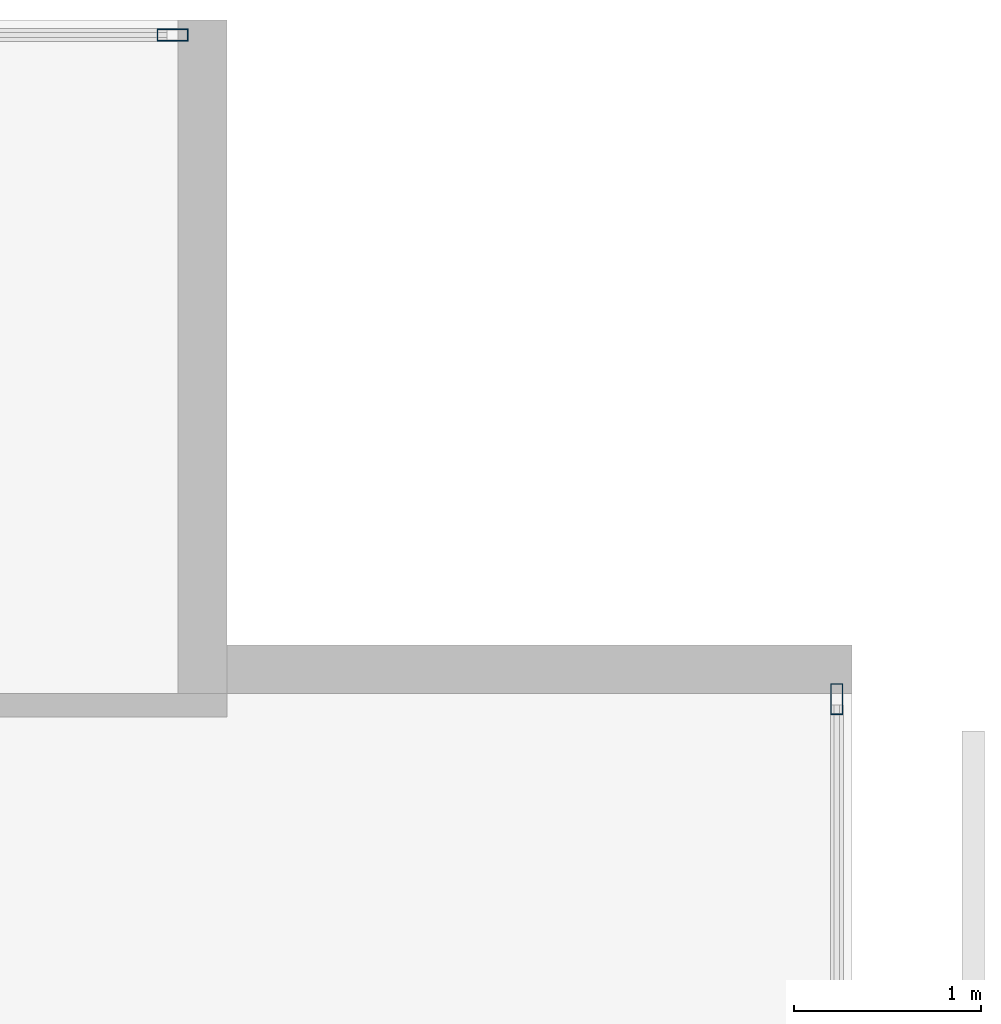
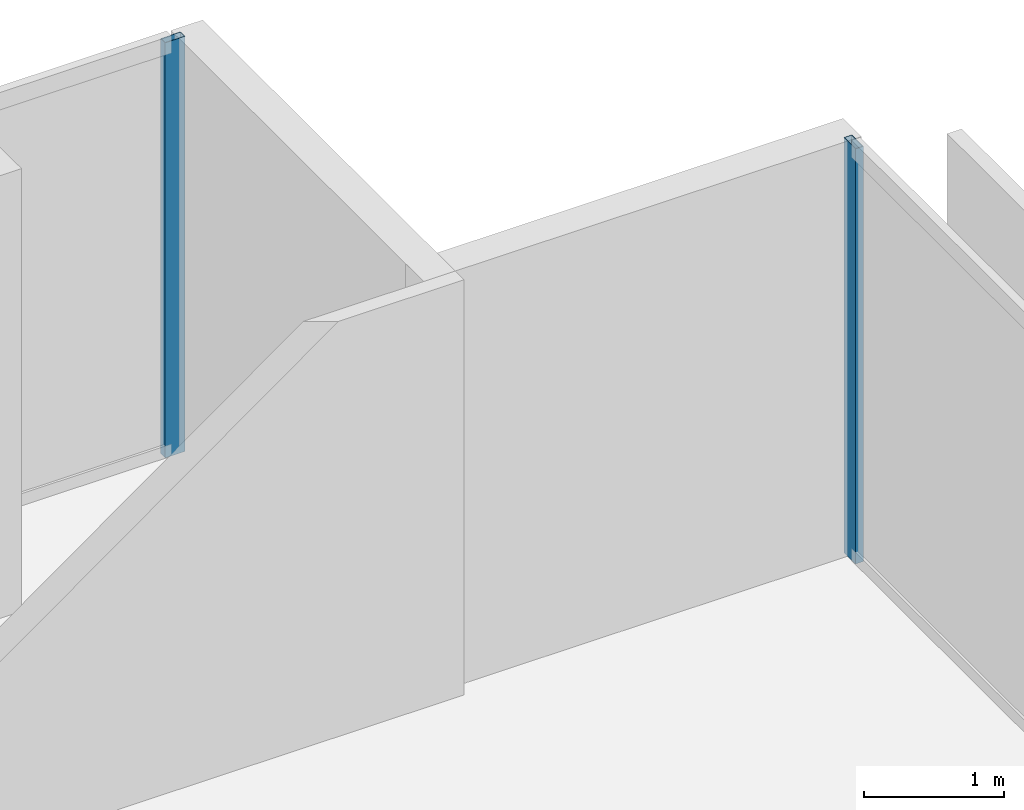
# One storey, part 31 of 41: 2 members, 2 elements without a shape of their own.
"""IFC4 building model written with IfcOpenShell, lengths in metres."""

from ifc_helpers import new_model, si_unit, direction, frame, origin, origin_2d, place, context, subcontext, project, spatial, hollow_rectangle, extrude, material, layer, layer_set, material_profile, profile_set, type_object, element, aggregate, save


model = new_model("IFC4")

# Units and contexts
model_context = context("Model", 3, precision=1e-05, world=origin(), true_north=direction((0.0, 1.0)))
body_context = subcontext(model_context, "Body", "Model", "MODEL_VIEW")
ifc_project = project(units=[si_unit("LENGTHUNIT", "METRE"), si_unit("AREAUNIT", "SQUARE_METRE"), si_unit("VOLUMEUNIT", "CUBIC_METRE"), si_unit("PLANEANGLEUNIT", "RADIAN"), si_unit("MASSUNIT", "GRAM", prefix="KILO")], contexts=[model_context])

# Site, building, storey
site_placement = place(None, origin())
site = spatial("IfcSite", under=ifc_project, at=site_placement, CompositionType="ELEMENT")
building_placement = place(site_placement, origin())
building = spatial("IfcBuilding", under=site, at=building_placement, Name="Maruvema Waterfront Hotel and Observation Tower", CompositionType="ELEMENT")
storey_placement = place(building_placement, frame((0.0, 0.0, 84.699951171875)))
storey = spatial("IfcBuildingStorey", under=building, at=storey_placement, Name="L20", CompositionType="ELEMENT", Elevation=84.699951171875)

# Curtain wall, member
ifc_material_1 = material(Name="Anodised bronze aluminium and solar-control low-E IGU", Category="aluminium")
ifc_layer = layer(ifc_material_1, 0.159912109375, Name="Zone 1 Bronze Inner Thermal Curtain Wall System CW-02")
ifc_layer_set = layer_set([ifc_layer], Name="Anodised bronze aluminium and solar-control low-E IGU")
curtain_wall_type = type_object("IfcCurtainWallType", Name="Zone 1 Bronze Inner Thermal Curtain Wall System CW-02", PredefinedType="USERDEFINED", material=ifc_layer_set)
curtain_wall_1_placement = place(storey_placement, origin())
curtain_wall_1 = element("IfcCurtainWall", 1, at=curtain_wall_1_placement, inside=storey, type_object=curtain_wall_type, Name="L20 Curtain Wall CW-L20-E", ObjectType="UNITISED CURTAIN WALL", PredefinedType="USERDEFINED")
ifc_material_2 = material(Name="Anodised architectural bronze aluminium", Category="aluminium")
ifc_material_profile = material_profile(ifc_material_2, hollow_rectangle(XDim=0.06494140625, YDim=0.1650390625, WallThickness=0.00390625, at=origin_2d()), Name="ALU-M65x165")
ifc_profile_set = profile_set([ifc_material_profile], Name="Anodised architectural bronze aluminium")
member_type = type_object("IfcMemberType", Name="Curtain Wall Primary Mullion ALU-M65x165", PredefinedType="MULLION", material=ifc_profile_set)
member_1_placement = place(storey_placement, frame((64.719970703125, 50.3701171875, 0.0), z_axis=(0.0, 0.0, 1.0), x_axis=(-1.0, 0.0, 0.0)))
member_1 = element("IfcMember", 2, at=member_1_placement, type_object=member_type, Name="CW-02 mullion 7", PredefinedType="MULLION", context=body_context, shape_type="SweptSolid", body=[
    extrude(hollow_rectangle(XDim=0.06494140625, YDim=0.1650390625, WallThickness=0.00390625, at=origin_2d()), origin(), (0.0, 0.0, 1.0), 3.610107421875),
])
aggregate(curtain_wall_1, [member_1])

curtain_wall_2_placement = place(storey_placement, origin())
curtain_wall_2 = element("IfcCurtainWall", 3, at=curtain_wall_2_placement, inside=storey, type_object=curtain_wall_type, Name="L20 Curtain Wall CW-L20-NE", ObjectType="UNITISED CURTAIN WALL", PredefinedType="USERDEFINED")
member_2_placement = place(storey_placement, frame((61.169921875, 53.919921875, 0.0), z_axis=(0.0, 0.0, 1.0), x_axis=(0.0, -1.0, 0.0)))
member_2 = element("IfcMember", 4, at=member_2_placement, type_object=member_type, Name="CW-02 mullion 1", PredefinedType="MULLION", context=body_context, shape_type="SweptSolid", body=[
    extrude(hollow_rectangle(XDim=0.06494140625, YDim=0.1650390625, WallThickness=0.00390625, at=origin_2d()), origin(), (0.0, 0.0, 1.0), 3.610107421875),
])
aggregate(curtain_wall_2, [member_2])

save(model, "model.ifc")
